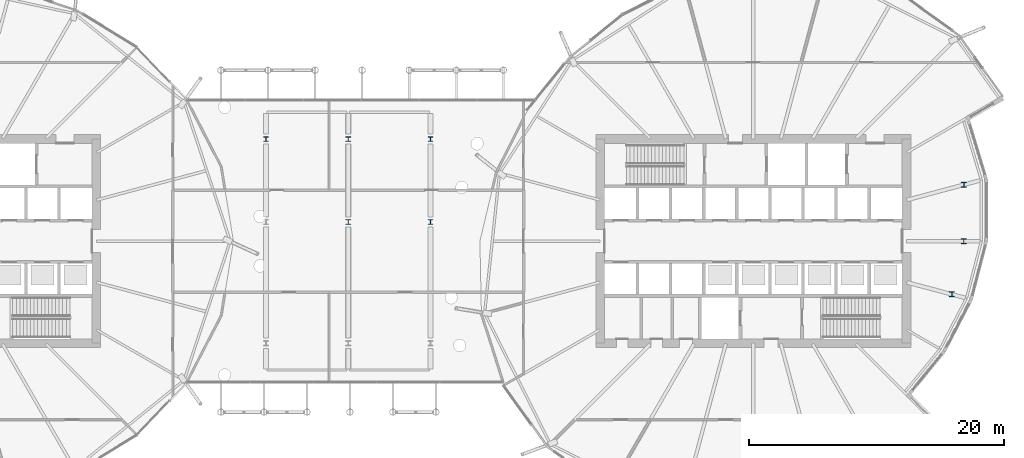
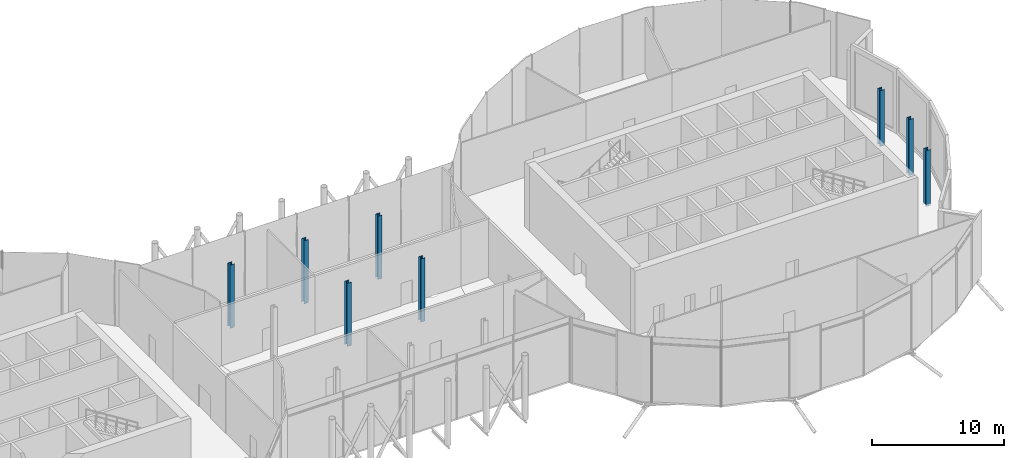
# One storey, part 2 of 38: 8 columns.
"""IFC4 building model written with IfcOpenShell, lengths in metres."""

from ifc_helpers import new_model, si_unit, direction, frame, origin, origin_2d, place, context, subcontext, project, spatial, i_section, extrude, material, material_profile, profile_set, type_object, element, save


model = new_model("IFC4")

# Units and contexts
model_context = context("Model", 3, precision=1e-05, world=origin(), true_north=direction((0.0, 1.0)))
body_context = subcontext(model_context, "Body", "Model", "MODEL_VIEW")
ifc_project = project(units=[si_unit("LENGTHUNIT", "METRE"), si_unit("AREAUNIT", "SQUARE_METRE"), si_unit("VOLUMEUNIT", "CUBIC_METRE"), si_unit("PLANEANGLEUNIT", "RADIAN"), si_unit("MASSUNIT", "GRAM", prefix="KILO")], contexts=[model_context])

# Site, building, storey
site_placement = place(None, origin())
site = spatial("IfcSite", under=ifc_project, at=site_placement, CompositionType="ELEMENT")
building_placement = place(site_placement, origin())
building = spatial("IfcBuilding", under=site, at=building_placement, Name="Rimbun Link Towers", CompositionType="ELEMENT")
storey_placement = place(building_placement, frame((0.0, 0.0, 133.199951171875)))
storey = spatial("IfcBuildingStorey", under=building, at=storey_placement, Name="L32", CompositionType="ELEMENT", Elevation=133.199951171875)

# Columns
ifc_material_1 = material(Name="Steel S355J2", Category="steel")
ifc_material_profile_1 = material_profile(ifc_material_1, i_section(OverallWidth=0.374755859375, OverallDepth=0.37451171875, WebThickness=0.0166015625, FlangeThickness=0.027099609375, at=origin_2d()), Name="UKC 356x368x202")
ifc_profile_set_1 = profile_set([ifc_material_profile_1], Name="Steel S355J2")
column_type_1 = type_object("IfcColumnType", Name="Link column UKC 356x368x202", PredefinedType="COLUMN", material=ifc_profile_set_1)
for number, where, z_axis, x_axis, name in (
    (1, (-6.449951171875, 8.0, 0.0), (0.0, 0.0, 1.0), (1.0, 0.0, 0.0), "Link column L32 3-1"),
    (2, (0.0, 1.5, 0.0), (0.0, 0.0, 1.0), (1.0, 0.0, 0.0), "Link column L32 2-2"),
    (3, (0.0, 8.0, 0.0), (0.0, 0.0, 1.0), (1.0, 0.0, 0.0), "Link column L32 3-2"),
    (4, (6.449951171875, 1.5, 0.0), (0.0, 0.0, 1.0), (1.0, 0.0, 0.0), "Link column L32 2-3"),
    (5, (6.449951171875, 8.0, 0.0), (0.0, 0.0, 1.0), (1.0, 0.0, 0.0), "Link column L32 3-3"),
):
    element("IfcColumn", number, at=place(storey_placement, frame(where, z_axis=z_axis, x_axis=x_axis)), inside=storey, type_object=column_type_1, Name=name, PredefinedType="COLUMN", context=body_context, shape_type="SweptSolid", body=[
        extrude(i_section(OverallWidth=0.374755859375, OverallDepth=0.37451171875, WebThickness=0.0166015625, FlangeThickness=0.027099609375, at=origin_2d()), origin(), (0.0, 0.0, 1.0), 5.840087890625),
    ])
ifc_material_2 = material(Name="Steel S355J2", Category="steel")
ifc_material_profile_2 = material_profile(ifc_material_2, i_section(OverallWidth=0.39892578125, OverallDepth=0.3935546875, WebThickness=0.022705078125, FlangeThickness=0.03662109375, at=origin_2d()), Name="UC 356x406x287")
ifc_profile_set_2 = profile_set([ifc_material_profile_2], Name="Steel S355J2")
column_type_2 = type_object("IfcColumnType", Name="UC 356x406x287", PredefinedType="COLUMN", material=ifc_profile_set_2)
for number, where, z_axis, x_axis, name in (
    (6, (47.317138671875, -4.171142578125, -0.179931640625), (0.0, 0.0, 1.0), (1.0, 0.0, 0.0), "Crease post T2 L32 20"),
    (7, (48.236083984375, 0.0, -0.179931640625), (0.0, 0.0, 1.0), (1.0, 0.0, 0.0), "Crease post T2 L32 21"),
    (8, (48.25146484375, 4.42138671875, -0.179931640625), (0.0, 0.0, 1.0), (1.0, 0.0, 0.0), "Crease post T2 L32 22"),
):
    element("IfcColumn", number, at=place(storey_placement, frame(where, z_axis=z_axis, x_axis=x_axis)), inside=storey, type_object=column_type_2, Name=name, PredefinedType="COLUMN", context=body_context, shape_type="SweptSolid", body=[
        extrude(i_section(OverallWidth=0.39892578125, OverallDepth=0.3935546875, WebThickness=0.022705078125, FlangeThickness=0.03662109375, at=origin_2d()), origin(), (0.0, 0.0, 1.0), 5.1591796875),
    ])

save(model, "model.ifc")
